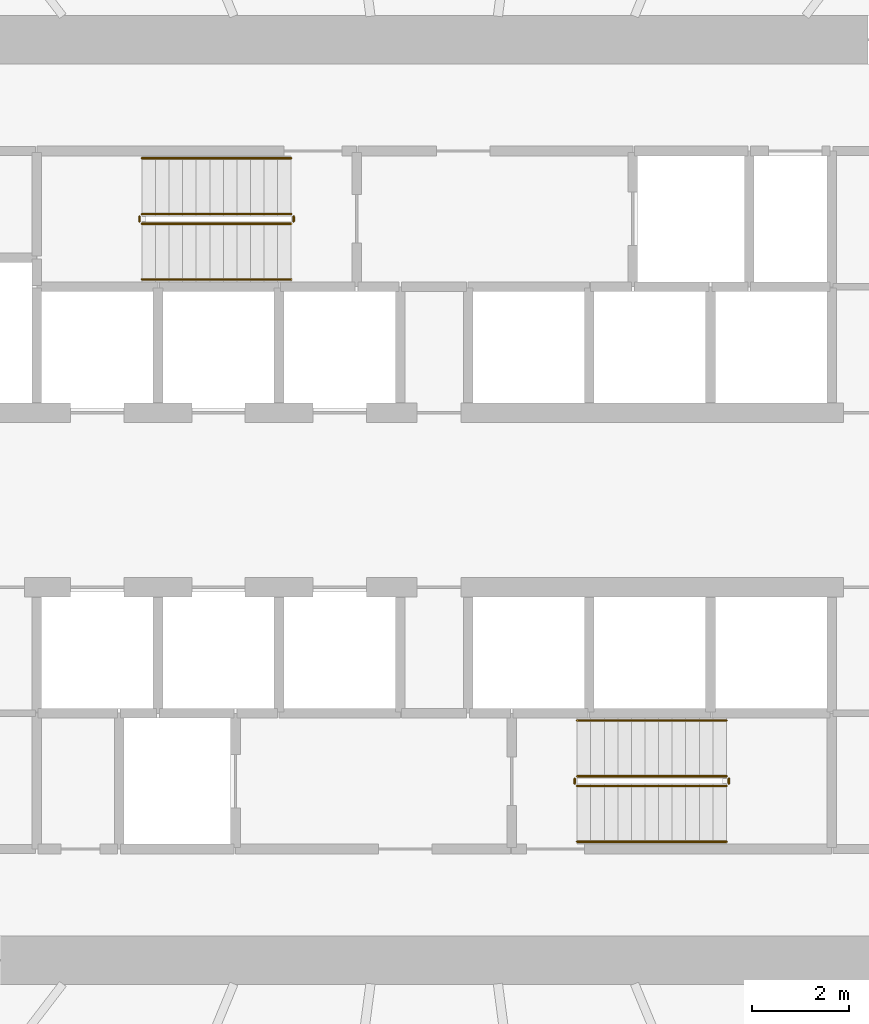
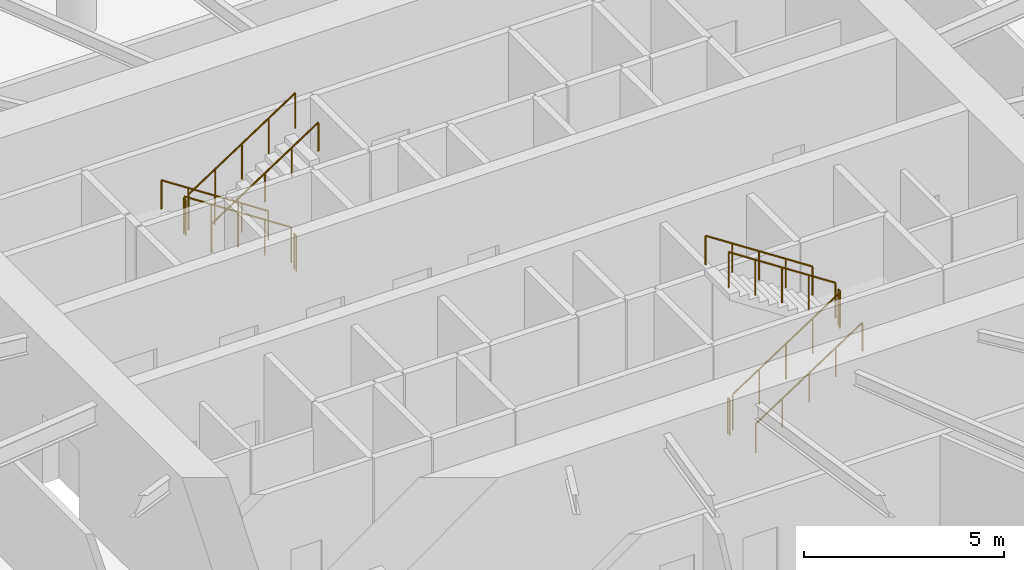
# One storey, part 20 of 24: 12 railings.
"""IFC4 building model written with IfcOpenShell, lengths in metres."""

from ifc_helpers import new_model, si_unit, direction, frame, origin, origin_2d, place, context, subcontext, project, spatial, circle, extrude, material, type_object, element, save


model = new_model("IFC4")

# Units and contexts
model_context = context("Model", 3, precision=1e-05, world=origin(), true_north=direction((0.0, 1.0)))
body_context = subcontext(model_context, "Body", "Model", "MODEL_VIEW")
ifc_project = project(units=[si_unit("LENGTHUNIT", "METRE"), si_unit("AREAUNIT", "SQUARE_METRE"), si_unit("VOLUMEUNIT", "CUBIC_METRE"), si_unit("PLANEANGLEUNIT", "RADIAN"), si_unit("MASSUNIT", "GRAM", prefix="KILO")], contexts=[model_context])

# Site, building, storey
site_placement = place(None, origin())
site = spatial("IfcSite", under=ifc_project, at=site_placement, CompositionType="ELEMENT")
building_placement = place(site_placement, origin())
building = spatial("IfcBuilding", under=site, at=building_placement, Name="Spindrift Exchange Tower", CompositionType="ELEMENT")
storey_placement = place(building_placement, frame((0.0, 0.0, 5.0)))
storey = spatial("IfcBuildingStorey", under=building, at=storey_placement, Name="L01", CompositionType="ELEMENT", Elevation=5.0)

# Railings
ifc_material_1 = material(Name="Steel balustrade", Category="steel")
railing_type_1 = type_object("IfcRailingType", Name="RL-STAIR-GUARD", PredefinedType="GUARDRAIL", material=ifc_material_1)
railing_1_placement = place(storey_placement, frame((49.050048828125, 53.89990234375, 0.183349609375)))
element("IfcRailing", 1, at=railing_1_placement, inside=storey, type_object=railing_type_1, Name="L01 ST1 stair guard 1", PredefinedType="GUARDRAIL", context=body_context, shape_type="SweptSolid", body=[
    extrude(circle(Radius=0.02392578125, at=origin_2d()), frame((0.0, 0.0, 1.076171875), z_axis=(-0.836633000464, 0.0, 0.547763838287), x_axis=(0.0, -1.0, 0.0)), (0.0, 0.0, 1.0), 3.681396484375),
    extrude(circle(Radius=0.02099609375, at=origin_2d()), origin(), (0.0, 0.0, 1.0), 1.052001953125),
    extrude(circle(Radius=0.02099609375, at=origin_2d()), frame((-0.77001953125, 0.0, 0.504150390625)), (0.0, 0.0, 1.0), 1.052001953125),
    extrude(circle(Radius=0.02099609375, at=origin_2d()), frame((-1.5400390625, 0.0, 1.00830078125)), (0.0, 0.0, 1.0), 1.052001953125),
    extrude(circle(Radius=0.02099609375, at=origin_2d()), frame((-2.31005859375, 0.0, 1.512451171875)), (0.0, 0.0, 1.0), 1.052001953125),
    extrude(circle(Radius=0.02099609375, at=origin_2d()), frame((-3.080078125, 0.0, 2.0166015625)), (0.0, 0.0, 1.0), 1.052001953125),
])
railing_2_placement = place(storey_placement, frame((45.919921875, 53.85009765625, 2.199951171875)))
element("IfcRailing", 2, at=railing_2_placement, inside=storey, type_object=railing_type_1, Name="L01 ST1 stair guard 2", PredefinedType="GUARDRAIL", context=body_context, shape_type="SweptSolid", body=[
    extrude(circle(Radius=0.02392578125, at=origin_2d()), frame((0.0, 0.0, 1.076171875), z_axis=(0.0, -1.0, 0.0), x_axis=(1.0, 0.0, 0.0)), (0.0, 0.0, 1.0), 0.10009765625),
    extrude(circle(Radius=0.02099609375, at=origin_2d()), origin(), (0.0, 0.0, 1.0), 1.052001953125),
    extrude(circle(Radius=0.02099609375, at=origin_2d()), frame((0.0, -0.10009765625, 0.0)), (0.0, 0.0, 1.0), 1.052001953125),
])
railing_3_placement = place(storey_placement, frame((45.969970703125, 53.699951171875, 2.38330078125)))
element("IfcRailing", 3, at=railing_3_placement, inside=storey, type_object=railing_type_1, Name="L01 ST1 stair guard 3", PredefinedType="GUARDRAIL", context=body_context, shape_type="SweptSolid", body=[
    extrude(circle(Radius=0.02392578125, at=origin_2d()), frame((0.0, 0.0, 1.076171875), z_axis=(0.836633000464, 0.0, 0.547763838287), x_axis=(0.0, 1.0, 0.0)), (0.0, 0.0, 1.0), 3.681396484375),
    extrude(circle(Radius=0.02099609375, at=origin_2d()), origin(), (0.0, 0.0, 1.0), 1.052001953125),
    extrude(circle(Radius=0.02099609375, at=origin_2d()), frame((0.77001953125, 0.0, 0.504150390625)), (0.0, 0.0, 1.0), 1.052001953125),
    extrude(circle(Radius=0.02099609375, at=origin_2d()), frame((1.5400390625, 0.0, 1.00830078125)), (0.0, 0.0, 1.0), 1.052001953125),
    extrude(circle(Radius=0.02099609375, at=origin_2d()), frame((2.31005859375, 0.0, 1.512451171875)), (0.0, 0.0, 1.0), 1.052001953125),
    extrude(circle(Radius=0.02099609375, at=origin_2d()), frame((3.080078125, 0.0, 2.0166015625)), (0.0, 0.0, 1.0), 1.052001953125),
])
railing_4_placement = place(storey_placement, frame((49.10009765625, 53.85009765625, 0.0)))
element("IfcRailing", 4, at=railing_4_placement, inside=storey, type_object=railing_type_1, Name="L01 ST1 stair guard 4", PredefinedType="GUARDRAIL", context=body_context, shape_type="SweptSolid", body=[
    extrude(circle(Radius=0.02392578125, at=origin_2d()), frame((0.0, 0.0, 1.076171875), z_axis=(0.0, -1.0, 0.0), x_axis=(1.0, 0.0, 0.0)), (0.0, 0.0, 1.0), 0.10009765625),
    extrude(circle(Radius=0.02099609375, at=origin_2d()), origin(), (0.0, 0.0, 1.0), 1.052001953125),
    extrude(circle(Radius=0.02099609375, at=origin_2d()), frame((0.0, -0.10009765625, 0.0)), (0.0, 0.0, 1.0), 1.052001953125),
])
railing_5_placement = place(storey_placement, frame((54.949951171875, 42.10009765625, 0.183349609375)))
element("IfcRailing", 5, at=railing_5_placement, inside=storey, type_object=railing_type_1, Name="L01 ST2 stair guard 1", PredefinedType="GUARDRAIL", context=body_context, shape_type="SweptSolid", body=[
    extrude(circle(Radius=0.02392578125, at=origin_2d()), frame((0.0, 0.0, 1.076171875), z_axis=(0.836633000464, 0.0, 0.547763838287), x_axis=(0.0, 1.0, 0.0)), (0.0, 0.0, 1.0), 3.681396484375),
    extrude(circle(Radius=0.02099609375, at=origin_2d()), origin(), (0.0, 0.0, 1.0), 1.052001953125),
    extrude(circle(Radius=0.02099609375, at=origin_2d()), frame((0.77001953125, 0.0, 0.504150390625)), (0.0, 0.0, 1.0), 1.052001953125),
    extrude(circle(Radius=0.02099609375, at=origin_2d()), frame((1.5400390625, 0.0, 1.00830078125)), (0.0, 0.0, 1.0), 1.052001953125),
    extrude(circle(Radius=0.02099609375, at=origin_2d()), frame((2.31005859375, 0.0, 1.512451171875)), (0.0, 0.0, 1.0), 1.052001953125),
    extrude(circle(Radius=0.02099609375, at=origin_2d()), frame((3.080078125, 0.0, 2.0166015625)), (0.0, 0.0, 1.0), 1.052001953125),
])
railing_6_placement = place(storey_placement, frame((58.080078125, 42.14990234375, 2.199951171875)))
element("IfcRailing", 6, at=railing_6_placement, inside=storey, type_object=railing_type_1, Name="L01 ST2 stair guard 2", PredefinedType="GUARDRAIL", context=body_context, shape_type="SweptSolid", body=[
    extrude(circle(Radius=0.02392578125, at=origin_2d()), frame((0.0, 0.0, 1.076171875), z_axis=(0.0, 1.0, 0.0), x_axis=(-1.0, 0.0, 0.0)), (0.0, 0.0, 1.0), 0.10009765625),
    extrude(circle(Radius=0.02099609375, at=origin_2d()), origin(), (0.0, 0.0, 1.0), 1.052001953125),
    extrude(circle(Radius=0.02099609375, at=origin_2d()), frame((0.0, 0.10009765625, 0.0)), (0.0, 0.0, 1.0), 1.052001953125),
])
railing_7_placement = place(storey_placement, frame((58.030029296875, 42.300048828125, 2.38330078125)))
element("IfcRailing", 7, at=railing_7_placement, inside=storey, type_object=railing_type_1, Name="L01 ST2 stair guard 3", PredefinedType="GUARDRAIL", context=body_context, shape_type="SweptSolid", body=[
    extrude(circle(Radius=0.02392578125, at=origin_2d()), frame((0.0, 0.0, 1.076171875), z_axis=(-0.836633000464, 0.0, 0.547763838287), x_axis=(0.0, -1.0, 0.0)), (0.0, 0.0, 1.0), 3.681396484375),
    extrude(circle(Radius=0.02099609375, at=origin_2d()), origin(), (0.0, 0.0, 1.0), 1.052001953125),
    extrude(circle(Radius=0.02099609375, at=origin_2d()), frame((-0.77001953125, 0.0, 0.504150390625)), (0.0, 0.0, 1.0), 1.052001953125),
    extrude(circle(Radius=0.02099609375, at=origin_2d()), frame((-1.5400390625, 0.0, 1.00830078125)), (0.0, 0.0, 1.0), 1.052001953125),
    extrude(circle(Radius=0.02099609375, at=origin_2d()), frame((-2.31005859375, 0.0, 1.512451171875)), (0.0, 0.0, 1.0), 1.052001953125),
    extrude(circle(Radius=0.02099609375, at=origin_2d()), frame((-3.080078125, 0.0, 2.0166015625)), (0.0, 0.0, 1.0), 1.052001953125),
])
railing_8_placement = place(storey_placement, frame((54.89990234375, 42.14990234375, 0.0)))
element("IfcRailing", 8, at=railing_8_placement, inside=storey, type_object=railing_type_1, Name="L01 ST2 stair guard 4", PredefinedType="GUARDRAIL", context=body_context, shape_type="SweptSolid", body=[
    extrude(circle(Radius=0.02392578125, at=origin_2d()), frame((0.0, 0.0, 1.076171875), z_axis=(0.0, 1.0, 0.0), x_axis=(-1.0, 0.0, 0.0)), (0.0, 0.0, 1.0), 0.10009765625),
    extrude(circle(Radius=0.02099609375, at=origin_2d()), origin(), (0.0, 0.0, 1.0), 1.052001953125),
    extrude(circle(Radius=0.02099609375, at=origin_2d()), frame((0.0, 0.10009765625, 0.0)), (0.0, 0.0, 1.0), 1.052001953125),
])
ifc_material_2 = material(Name="Steel tubular handrail", Category="steel")
railing_type_2 = type_object("IfcRailingType", Name="RL-STAIR-HAND", PredefinedType="HANDRAIL", material=ifc_material_2)
railing_9_placement = place(storey_placement, frame((49.050048828125, 55.050048828125, 0.183349609375)))
element("IfcRailing", 9, at=railing_9_placement, inside=storey, type_object=railing_type_2, Name="L01 ST1 stair handrail 1", PredefinedType="HANDRAIL", context=body_context, shape_type="SweptSolid", body=[
    extrude(circle(Radius=0.02392578125, at=origin_2d()), frame((0.0, 0.0, 0.8759765625), z_axis=(-0.836633000464, 0.0, 0.547763838287), x_axis=(0.0, -1.0, 0.0)), (0.0, 0.0, 1.0), 3.681396484375),
    extrude(circle(Radius=0.02099609375, at=origin_2d()), origin(), (0.0, 0.0, 1.0), 0.851806640625),
    extrude(circle(Radius=0.02099609375, at=origin_2d()), frame((-0.77001953125, 0.0, 0.504150390625)), (0.0, 0.0, 1.0), 0.851806640625),
    extrude(circle(Radius=0.02099609375, at=origin_2d()), frame((-1.5400390625, 0.0, 1.00830078125)), (0.0, 0.0, 1.0), 0.851806640625),
    extrude(circle(Radius=0.02099609375, at=origin_2d()), frame((-2.31005859375, 0.0, 1.512451171875)), (0.0, 0.0, 1.0), 0.851806640625),
    extrude(circle(Radius=0.02099609375, at=origin_2d()), frame((-3.080078125, 0.0, 2.0166015625)), (0.0, 0.0, 1.0), 0.851806640625),
])
for number, where, name in (
    (10, (45.969970703125, 52.550048828125, 2.38330078125), "L01 ST1 stair handrail 2"),
    (11, (54.949951171875, 40.949951171875, 0.183349609375), "L01 ST2 stair handrail 1"),
):
    element("IfcRailing", number, at=place(storey_placement, frame(where)), inside=storey, type_object=railing_type_2, Name=name, PredefinedType="HANDRAIL", context=body_context, shape_type="SweptSolid", body=[
        extrude(circle(Radius=0.02392578125, at=origin_2d()), frame((0.0, 0.0, 0.8759765625), z_axis=(0.836633000464, 0.0, 0.547763838287), x_axis=(0.0, 1.0, 0.0)), (0.0, 0.0, 1.0), 3.681396484375),
        extrude(circle(Radius=0.02099609375, at=origin_2d()), origin(), (0.0, 0.0, 1.0), 0.851806640625),
        extrude(circle(Radius=0.02099609375, at=origin_2d()), frame((0.77001953125, 0.0, 0.504150390625)), (0.0, 0.0, 1.0), 0.851806640625),
        extrude(circle(Radius=0.02099609375, at=origin_2d()), frame((1.5400390625, 0.0, 1.00830078125)), (0.0, 0.0, 1.0), 0.851806640625),
        extrude(circle(Radius=0.02099609375, at=origin_2d()), frame((2.31005859375, 0.0, 1.512451171875)), (0.0, 0.0, 1.0), 0.851806640625),
        extrude(circle(Radius=0.02099609375, at=origin_2d()), frame((3.080078125, 0.0, 2.0166015625)), (0.0, 0.0, 1.0), 0.851806640625),
    ])
railing_10_placement = place(storey_placement, frame((58.030029296875, 43.449951171875, 2.38330078125)))
element("IfcRailing", 12, at=railing_10_placement, inside=storey, type_object=railing_type_2, Name="L01 ST2 stair handrail 2", PredefinedType="HANDRAIL", context=body_context, shape_type="SweptSolid", body=[
    extrude(circle(Radius=0.02392578125, at=origin_2d()), frame((0.0, 0.0, 0.8759765625), z_axis=(-0.836633000464, 0.0, 0.547763838287), x_axis=(0.0, -1.0, 0.0)), (0.0, 0.0, 1.0), 3.681396484375),
    extrude(circle(Radius=0.02099609375, at=origin_2d()), origin(), (0.0, 0.0, 1.0), 0.851806640625),
    extrude(circle(Radius=0.02099609375, at=origin_2d()), frame((-0.77001953125, 0.0, 0.504150390625)), (0.0, 0.0, 1.0), 0.851806640625),
    extrude(circle(Radius=0.02099609375, at=origin_2d()), frame((-1.5400390625, 0.0, 1.00830078125)), (0.0, 0.0, 1.0), 0.851806640625),
    extrude(circle(Radius=0.02099609375, at=origin_2d()), frame((-2.31005859375, 0.0, 1.512451171875)), (0.0, 0.0, 1.0), 0.851806640625),
    extrude(circle(Radius=0.02099609375, at=origin_2d()), frame((-3.080078125, 0.0, 2.0166015625)), (0.0, 0.0, 1.0), 0.851806640625),
])

save(model, "model.ifc")
